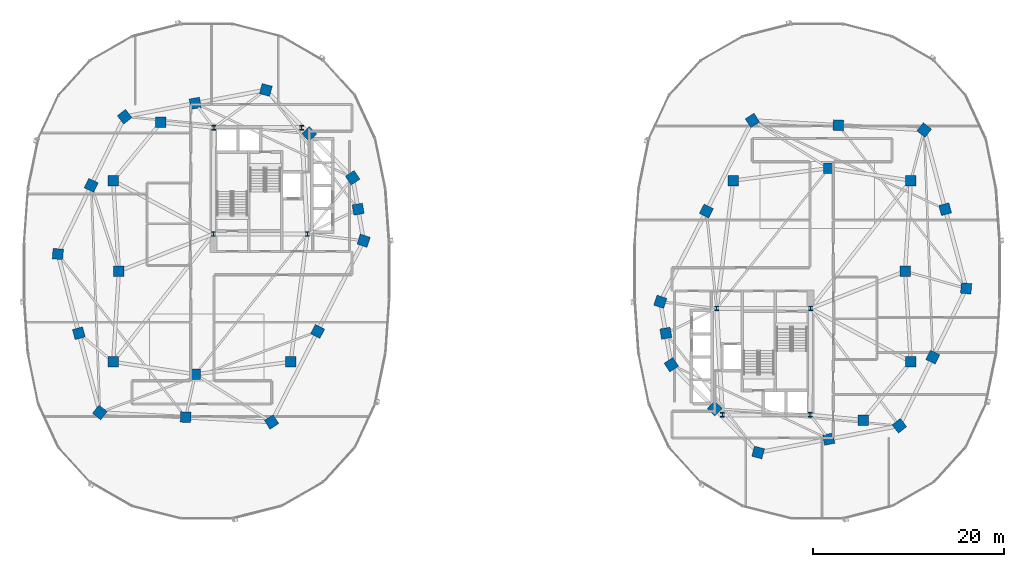
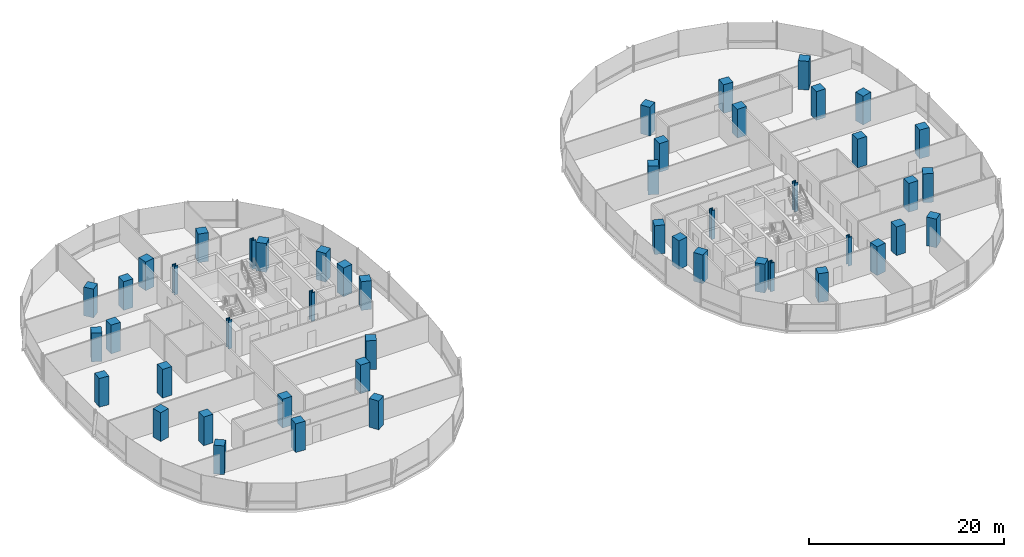
# One storey, part 1 of 21: 48 columns.
"""IFC4 building model written with IfcOpenShell, lengths in metres."""

from ifc_helpers import new_model, si_unit, direction, frame, origin, origin_2d, place, context, subcontext, project, spatial, rectangle, i_section, extrude, material, material_profile, profile_set, type_object, element, save


model = new_model("IFC4")

# Units and contexts
model_context = context("Model", 3, precision=1e-05, world=origin(), true_north=direction((0.0, 1.0)))
body_context = subcontext(model_context, "Body", "Model", "MODEL_VIEW")
ifc_project = project(units=[si_unit("LENGTHUNIT", "METRE"), si_unit("AREAUNIT", "SQUARE_METRE"), si_unit("VOLUMEUNIT", "CUBIC_METRE"), si_unit("PLANEANGLEUNIT", "RADIAN"), si_unit("MASSUNIT", "GRAM", prefix="KILO"), si_unit("THERMODYNAMICTEMPERATUREUNIT", "KELVIN"), si_unit("POWERUNIT", "WATT")], contexts=[model_context])

# Site, building, storey
site_placement = place(None, origin())
site = spatial("IfcSite", under=ifc_project, at=site_placement, CompositionType="ELEMENT")
building_placement = place(site_placement, origin())
building = spatial("IfcBuilding", under=site, at=building_placement, Name="Cundina Bronze Exchange", CompositionType="ELEMENT")
storey_placement = place(building_placement, frame((0.0, 0.0, 114.199951171875)))
storey = spatial("IfcBuildingStorey", under=building, at=storey_placement, Name="L29", CompositionType="ELEMENT", Elevation=114.199951171875)

# Columns
ifc_material_1 = material(Name="Steel ASTM A992 Grade 50", Category="steel")
ifc_material_profile_1 = material_profile(ifc_material_1, i_section(OverallWidth=0.431884765625, OverallDepth=0.498046875, WebThickness=0.0556640625, FlangeThickness=0.0888671875, FilletRadius=0.01806640625, at=origin_2d()), Name="W14X500", Category="steel")
ifc_profile_set_1 = profile_set([ifc_material_profile_1], Name="Steel ASTM A992 Grade 50")
column_type_1 = type_object("IfcColumnType", Name="COL-STL-W14A", PredefinedType="COLUMN", material=ifc_profile_set_1)
for number, where, z_axis, x_axis, name in (
    (1, (-31.300048828125, 3.89990234375, 0.0), (0.0, 0.0, 1.0), (1.0, 0.0, 0.0), "L29 Core Anchor Column W1"),
    (2, (-21.449951171875, 3.89990234375, 0.0), (0.0, 0.0, 1.0), (1.0, 0.0, 0.0), "L29 Core Anchor Column W2"),
    (3, (-22.050048828125, 15.050048828125, 0.0), (0.0, 0.0, 1.0), (1.0, 0.0, 0.0), "L29 Core Anchor Column W3"),
    (4, (-31.25, 15.050048828125, 0.0), (0.0, 0.0, 1.0), (1.0, 0.0, 0.0), "L29 Core Anchor Column W4"),
    (5, (31.300048828125, -3.89990234375, 0.0), (0.0, 0.0, 1.0), (1.0, 0.0, 0.0), "L29 Core Anchor Column E1"),
    (6, (21.449951171875, -3.89990234375, 0.0), (0.0, 0.0, 1.0), (1.0, 0.0, 0.0), "L29 Core Anchor Column E2"),
    (7, (22.050048828125, -15.050048828125, 0.0), (0.0, 0.0, 1.0), (1.0, 0.0, 0.0), "L29 Core Anchor Column E3"),
    (8, (31.25, -15.050048828125, 0.0), (0.0, 0.0, 1.0), (1.0, 0.0, 0.0), "L29 Core Anchor Column E4"),
):
    element("IfcColumn", number, at=place(storey_placement, frame(where, z_axis=z_axis, x_axis=x_axis)), inside=storey, type_object=column_type_1, Name=name, PredefinedType="COLUMN", context=body_context, shape_type="SweptSolid", body=[
        extrude(i_section(OverallWidth=0.431884765625, OverallDepth=0.498046875, WebThickness=0.0556640625, FlangeThickness=0.0888671875, FilletRadius=0.01806640625, at=origin_2d()), origin(), (0.0, 0.0, 1.0), 3.60009765625),
    ])
ifc_material_2 = material(Name="Concrete C60/75", Category="concrete")
ifc_material_profile_2 = material_profile(ifc_material_2, rectangle(XDim=1.10009765625, YDim=1.10009765625, at=origin_2d()), Name="RC1100X1100", Category="concrete")
ifc_profile_set_2 = profile_set([ifc_material_profile_2], Name="Concrete C60/75")
column_type_2 = type_object("IfcColumnType", Name="COL-Z2-1100", PredefinedType="COLUMN", material=ifc_profile_set_2)
for number, where, z_axis, x_axis, name in (
    (9, (-41.199951171875, 0.0, 0.0), (0.0, 0.0, 1.0), (1.0, 0.0, 0.0), "L29 W Inner Ring Column 1"),
    (10, (-41.800048828125, 9.5, 0.0), (0.0, 0.0, 1.0), (1.0, 0.0, 0.0), "L29 W Inner Ring Column 2"),
    (11, (-36.800048828125, 15.60009765625, 0.0), (0.0, 0.0, 1.0), (1.0, 0.0, 0.0), "L29 W Inner Ring Column 3"),
    (12, (-41.800048828125, -9.5, 0.0), (0.0, 0.0, 1.0), (1.0, 0.0, 0.0), "L29 W Inner Ring Column 4"),
    (13, (-33.199951171875, -10.800048828125, 0.0), (0.0, 0.0, 1.0), (1.0, 0.0, 0.0), "L29 W Inner Ring Column 5"),
    (14, (-23.199951171875, -9.5, 0.0), (0.0, 0.0, 1.0), (1.0, 0.0, 0.0), "L29 W Inner Ring Column 6"),
    (15, (41.199951171875, 0.0, 0.0), (0.0, 0.0, 1.0), (1.0, 0.0, 0.0), "L29 E Inner Ring Column 1"),
    (16, (41.800048828125, -9.5, 0.0), (0.0, 0.0, 1.0), (1.0, 0.0, 0.0), "L29 E Inner Ring Column 2"),
    (17, (36.800048828125, -15.60009765625, 0.0), (0.0, 0.0, 1.0), (1.0, 0.0, 0.0), "L29 E Inner Ring Column 3"),
    (18, (41.800048828125, 9.5, 0.0), (0.0, 0.0, 1.0), (1.0, 0.0, 0.0), "L29 E Inner Ring Column 4"),
    (19, (33.199951171875, 10.800048828125, 0.0), (0.0, 0.0, 1.0), (1.0, 0.0, 0.0), "L29 E Inner Ring Column 5"),
    (20, (23.199951171875, 9.5, 0.0), (0.0, 0.0, 1.0), (1.0, 0.0, 0.0), "L29 E Inner Ring Column 6"),
    (21, (-15.550048828125, 3.199951171875, 0.0), (0.0, 0.0, 1.0), (0.315152163383, 0.949041155016, 0.0), "L29 W Perimeter Column 00"),
    (22, (-16.125, 6.5, 0.0), (0.0, 0.0, 1.0), (-0.171585221787, 0.985169280715, 0.0), "L29 W Perimeter Column 01"),
    (23, (-16.699951171875, 9.800048828125, 0.0), (0.0, 0.0, 1.0), (-0.544199833495, 0.838955625301, 0.0), "L29 W Perimeter Column 02"),
    (24, (-21.25, 14.39990234375, 0.0), (0.0, 0.0, 1.0), (-0.703270634186, 0.710922228581, 0.0), "L29 W Perimeter Column 03"),
    (25, (-25.800048828125, 19.0, 0.0), (0.0, 0.0, 1.0), (-0.965970984022, 0.258650455301, 0.0), "L29 W Perimeter Column 04"),
    (26, (-33.199951171875, 17.60009765625, 0.0), (0.0, 0.0, 1.0), (-0.98258037664, -0.185838110843, 0.0), "L29 W Perimeter Column 05"),
    (27, (-40.60009765625, 16.199951171875, 0.0), (0.0, 0.0, 1.0), (-0.785100778485, -0.619368038909, 0.0), "L29 W Perimeter Column 06"),
    (28, (-44.10009765625, 9.0, 0.0), (0.0, 0.0, 1.0), (-0.437115766651, -0.899405251566, 0.0), "L29 W Perimeter Column 07"),
    (29, (-47.60009765625, 1.800048828125, 0.0), (0.0, 0.0, 1.0), (-0.083503921245, -0.996507448611, 0.0), "L29 W Perimeter Column 08"),
    (30, (-45.39990234375, -6.5, 0.0), (0.0, 0.0, 1.0), (0.256289373133, -0.966600102017, 0.0), "L29 W Perimeter Column 09"),
    (31, (-43.199951171875, -14.800048828125, 0.0), (0.0, 0.0, 1.0), (0.786288432137, -0.61785961309, 0.0), "L29 W Perimeter Column 10"),
    (32, (-34.199951171875, -15.300048828125, 0.0), (0.0, 0.0, 1.0), (0.998460188734, -0.055472980025, 0.0), "L29 W Perimeter Column 11"),
    (33, (-25.199951171875, -15.800048828125, 0.0), (0.0, 0.0, 1.0), (0.838099763533, 0.545516989988, 0.0), "L29 W Perimeter Column 12"),
    (34, (-20.375, -6.300048828125, 0.0), (0.0, 0.0, 1.0), (0.452901591366, 0.891560513111, 0.0), "L29 W Perimeter Column 13"),
    (35, (15.550048828125, -3.199951171875, 0.0), (0.0, 0.0, 1.0), (-0.315152163383, -0.949041155016, 0.0), "L29 E Perimeter Column 00"),
    (36, (16.125, -6.5, 0.0), (0.0, 0.0, 1.0), (0.171585221787, -0.985169280715, 0.0), "L29 E Perimeter Column 01"),
    (37, (16.699951171875, -9.800048828125, 0.0), (0.0, 0.0, 1.0), (0.544199833495, -0.838955625301, 0.0), "L29 E Perimeter Column 02"),
    (38, (21.25, -14.39990234375, 0.0), (0.0, 0.0, 1.0), (0.703270634186, -0.710922228581, 0.0), "L29 E Perimeter Column 03"),
    (39, (25.800048828125, -19.0, 0.0), (0.0, 0.0, 1.0), (0.965970984022, -0.258650455301, 0.0), "L29 E Perimeter Column 04"),
    (40, (33.199951171875, -17.60009765625, 0.0), (0.0, 0.0, 1.0), (0.98258037664, 0.185838110843, 0.0), "L29 E Perimeter Column 05"),
    (41, (40.60009765625, -16.199951171875, 0.0), (0.0, 0.0, 1.0), (0.785100778485, 0.619368038909, 0.0), "L29 E Perimeter Column 06"),
    (42, (44.10009765625, -9.0, 0.0), (0.0, 0.0, 1.0), (0.437115766651, 0.899405251566, 0.0), "L29 E Perimeter Column 07"),
    (43, (47.60009765625, -1.800048828125, 0.0), (0.0, 0.0, 1.0), (0.083503921245, 0.996507448611, 0.0), "L29 E Perimeter Column 08"),
    (44, (45.39990234375, 6.5, 0.0), (0.0, 0.0, 1.0), (-0.256289373133, 0.966600102017, 0.0), "L29 E Perimeter Column 09"),
    (45, (43.199951171875, 14.800048828125, 0.0), (0.0, 0.0, 1.0), (-0.786288432137, 0.61785961309, 0.0), "L29 E Perimeter Column 10"),
    (46, (34.199951171875, 15.300048828125, 0.0), (0.0, 0.0, 1.0), (-0.998460188734, 0.055472980025, 0.0), "L29 E Perimeter Column 11"),
    (47, (25.199951171875, 15.800048828125, 0.0), (0.0, 0.0, 1.0), (-0.838099763533, -0.545516989988, 0.0), "L29 E Perimeter Column 12"),
    (48, (20.375, 6.300048828125, 0.0), (0.0, 0.0, 1.0), (-0.452901591366, -0.891560513111, 0.0), "L29 E Perimeter Column 13"),
):
    element("IfcColumn", number, at=place(storey_placement, frame(where, z_axis=z_axis, x_axis=x_axis)), inside=storey, type_object=column_type_2, Name=name, PredefinedType="COLUMN", context=body_context, shape_type="SweptSolid", body=[
        extrude(rectangle(XDim=1.10009765625, YDim=1.10009765625, at=origin_2d()), origin(), (0.0, 0.0, 1.0), 3.60009765625),
    ])

save(model, "model.ifc")
